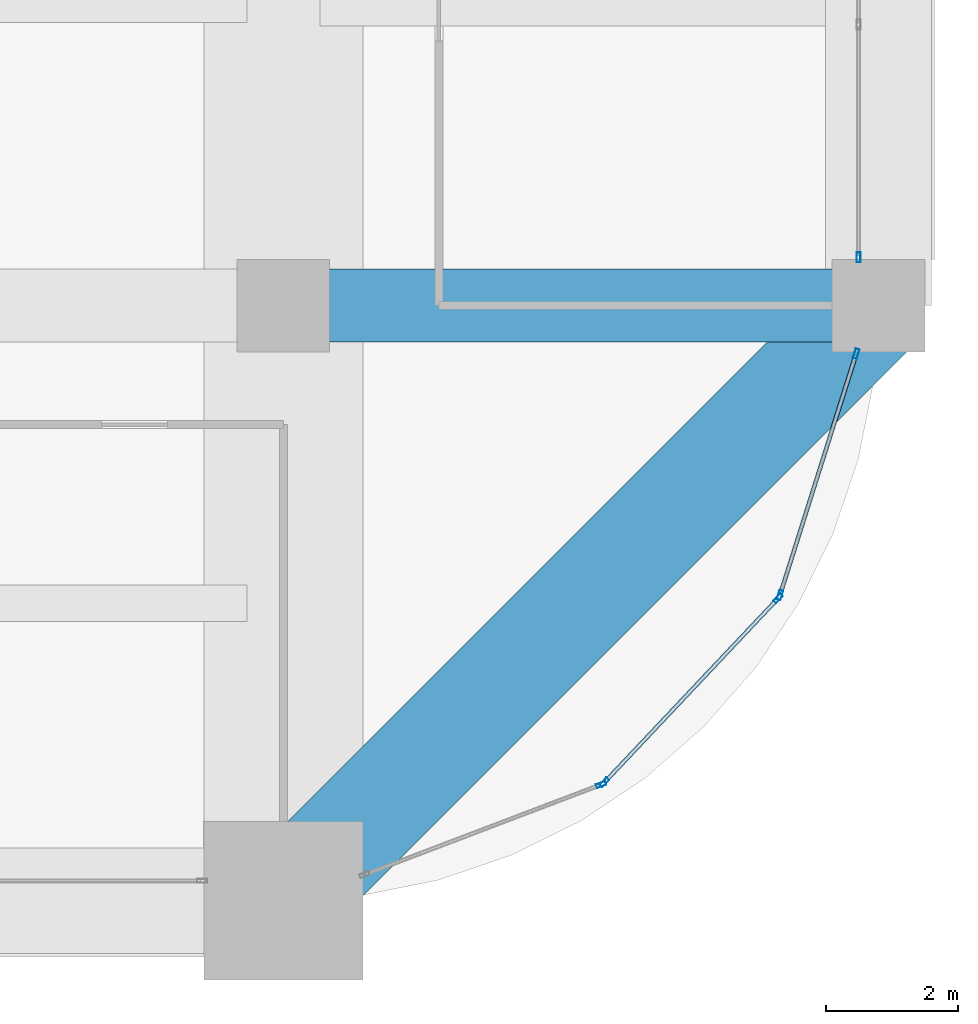
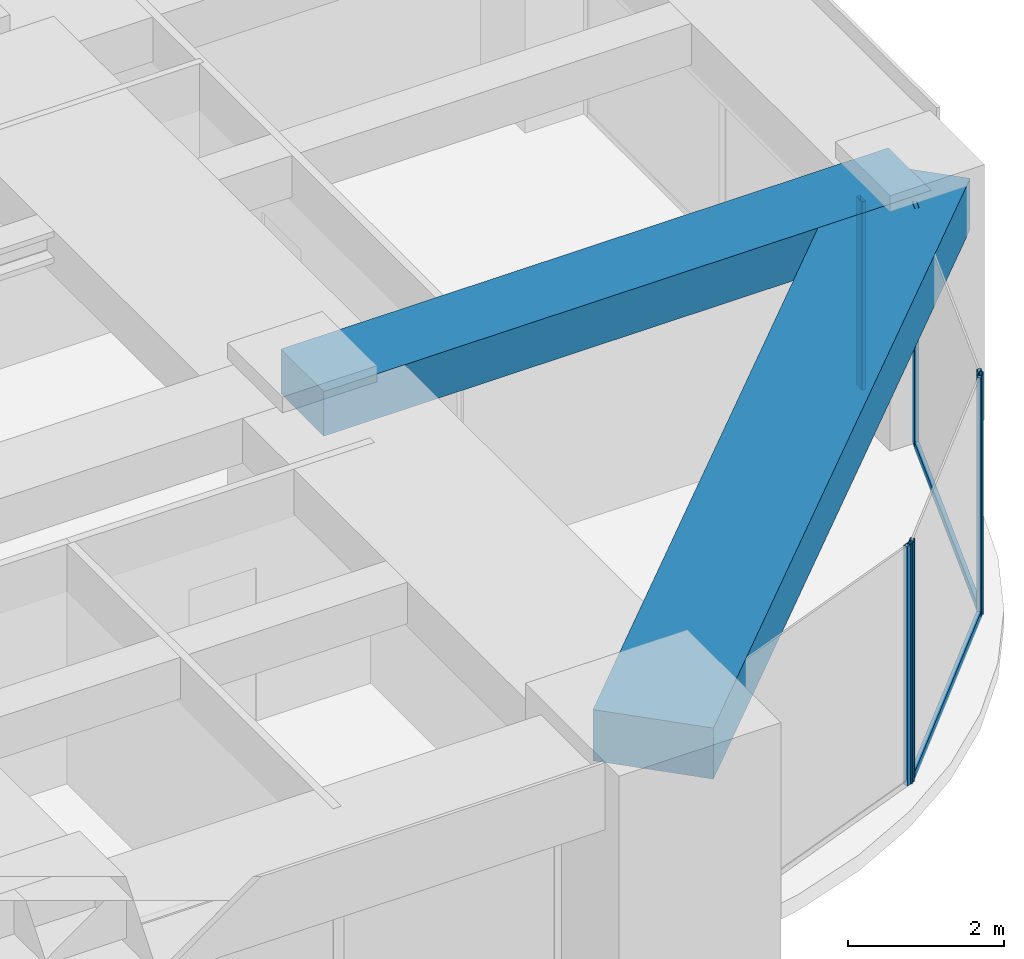
# One storey, part 16 of 35: 8 members, 2 beams, 4 elements without a shape of their own.
"""IFC4 building model written with IfcOpenShell, lengths in metres."""

from ifc_helpers import new_model, si_unit, direction, frame, origin, origin_2d, place, context, subcontext, project, spatial, rectangle, hollow_rectangle, extrude, material, material_profile, profile_set, type_object, element, aggregate, save


model = new_model("IFC4")

# Units and contexts
model_context = context("Model", 3, precision=1e-05, world=origin(), true_north=direction((0.0, 1.0)))
body_context = subcontext(model_context, "Body", "Model", "MODEL_VIEW")
ifc_project = project(units=[si_unit("LENGTHUNIT", "METRE"), si_unit("AREAUNIT", "SQUARE_METRE"), si_unit("VOLUMEUNIT", "CUBIC_METRE"), si_unit("PLANEANGLEUNIT", "RADIAN"), si_unit("MASSUNIT", "GRAM", prefix="KILO")], contexts=[model_context])

# Site, building, storey
site_placement = place(None, origin())
site = spatial("IfcSite", under=ifc_project, at=site_placement, CompositionType="ELEMENT")
building_placement = place(site_placement, origin())
building = spatial("IfcBuilding", under=site, at=building_placement, Name="Zorevar Civic Tower", CompositionType="ELEMENT")
storey_placement = place(building_placement, frame((0.0, 0.0, 222.199951171875)))
storey = spatial("IfcBuildingStorey", under=building, at=storey_placement, Name="L54", CompositionType="ELEMENT", Elevation=222.199951171875)

# Beam
ifc_material_1 = material(Name="Concrete C50/60", Category="concrete")
ifc_material_profile_1 = material_profile(ifc_material_1, rectangle(XDim=1.10009765625, YDim=0.699951171875, at=origin_2d()), Name="RC 1100x700")
ifc_profile_set_1 = profile_set([ifc_material_profile_1], Name="Concrete C50/60")
beam_type_1 = type_object("IfcBeamType", Name="Beam RC 1100x700", PredefinedType="BEAM", material=ifc_profile_set_1)
beam_1_placement = place(storey_placement, frame((45.0, 9.0, 3.400146484375), z_axis=(1.0, 0.0, 0.0), x_axis=(0.0, 1.0, 0.0)))
element("IfcBeam", 1, at=beam_1_placement, inside=storey, type_object=beam_type_1, Name="Girder L55", PredefinedType="BEAM", context=body_context, shape_type="SweptSolid", body=[
    extrude(rectangle(XDim=1.10009765625, YDim=0.699951171875, at=origin_2d()), origin(), (0.0, 0.0, 1.0), 9.0),
])

# Curtain wall, member
ifc_material_2 = material(Name="Dark grey solar-control glass in black aluminium frame", Category="aluminium")
curtain_wall_type = type_object("IfcCurtainWallType", Name="Curtain wall CW4 high zone", PredefinedType="NOTDEFINED", material=ifc_material_2)
curtain_wall_1_placement = place(storey_placement, origin())
curtain_wall_1 = element("IfcCurtainWall", 2, at=curtain_wall_1_placement, inside=storey, type_object=curtain_wall_type, Name="CW4 L54", PredefinedType="NOTDEFINED")
ifc_material_3 = material(Name="Aluminium, black anodised", Category="aluminium")
ifc_material_profile_2 = material_profile(ifc_material_3, hollow_rectangle(XDim=0.06005859375, YDim=0.14990234375, WallThickness=0.00390625, at=origin_2d()), Name="AL 150x60x4")
ifc_profile_set_2 = profile_set([ifc_material_profile_2], Name="Aluminium, black anodised")
member_type_1 = type_object("IfcMemberType", Name="CW4 mullion AL 150x60x4", PredefinedType="MULLION", material=ifc_profile_set_2)
member_1_placement = place(storey_placement, frame((53.699951171875, 9.72998046875, 0.0), z_axis=(0.0, 0.0, 1.0), x_axis=(-1.0, 0.0, 0.0)))
member_1 = element("IfcMember", 3, at=member_1_placement, type_object=member_type_1, Name="CW4 mullion 1", PredefinedType="MULLION", context=body_context, shape_type="SweptSolid", body=[
    extrude(hollow_rectangle(XDim=0.06005859375, YDim=0.14990234375, WallThickness=0.00390625, at=origin_2d()), origin(), (0.0, 0.0, 1.0), 2.949951171875),
])
aggregate(curtain_wall_1, [member_1])

curtain_wall_2_placement = place(storey_placement, origin())
curtain_wall_2 = element("IfcCurtainWall", 4, at=curtain_wall_2_placement, inside=storey, type_object=curtain_wall_type, Name="CW4 L54", PredefinedType="NOTDEFINED")
member_2_placement = place(storey_placement, frame((49.804931640625, 1.75537109375, 0.0), z_axis=(0.0, 0.0, 1.0), x_axis=(-0.355730895803, 0.93458842801, 0.0)))
member_2 = element("IfcMember", 5, at=member_2_placement, type_object=member_type_1, Name="CW4 mullion 2", PredefinedType="MULLION", context=body_context, shape_type="SweptSolid", body=[
    extrude(hollow_rectangle(XDim=0.06005859375, YDim=0.14990234375, WallThickness=0.00390625, at=origin_2d()), origin(), (0.0, 0.0, 1.0), 3.75),
])
aggregate(curtain_wall_2, [member_2])

# Curtain wall, members
curtain_wall_3_placement = place(storey_placement, origin())
curtain_wall_3 = element("IfcCurtainWall", 6, at=curtain_wall_3_placement, inside=storey, type_object=curtain_wall_type, Name="CW4 L54", PredefinedType="NOTDEFINED")
member_3_placement = place(storey_placement, frame((49.853759765625, 1.787841796875, 0.0), z_axis=(0.0, 0.0, 1.0), x_axis=(-0.727245053898, 0.686377907265, 0.0)))
member_3 = element("IfcMember", 7, at=member_3_placement, type_object=member_type_1, Name="CW4 mullion 1", PredefinedType="MULLION", context=body_context, shape_type="SweptSolid", body=[
    extrude(hollow_rectangle(XDim=0.06005859375, YDim=0.14990234375, WallThickness=0.00390625, at=origin_2d()), origin(), (0.0, 0.0, 1.0), 3.75),
])
member_4_placement = place(storey_placement, frame((52.480712890625, 4.5712890625, 0.0), z_axis=(0.0, 0.0, 1.0), x_axis=(-0.727245053898, 0.686377907265, 0.0)))
member_4 = element("IfcMember", 8, at=member_4_placement, type_object=member_type_1, Name="CW4 mullion 2", PredefinedType="MULLION", context=body_context, shape_type="SweptSolid", body=[
    extrude(hollow_rectangle(XDim=0.06005859375, YDim=0.14990234375, WallThickness=0.00390625, at=origin_2d()), origin(), (0.0, 0.0, 1.0), 3.75),
])

curtain_wall_4_placement = place(storey_placement, origin())
curtain_wall_4 = element("IfcCurtainWall", 9, at=curtain_wall_4_placement, inside=storey, type_object=curtain_wall_type, Name="CW4 L54", PredefinedType="NOTDEFINED")
member_5_placement = place(storey_placement, frame((52.51025390625, 4.62158203125, 0.0), z_axis=(0.0, 0.0, 1.0), x_axis=(-0.953589950678, 0.301108296077, 0.0)))
member_5 = element("IfcMember", 10, at=member_5_placement, type_object=member_type_1, Name="CW4 mullion 1", PredefinedType="MULLION", context=body_context, shape_type="SweptSolid", body=[
    extrude(hollow_rectangle(XDim=0.06005859375, YDim=0.14990234375, WallThickness=0.00390625, at=origin_2d()), origin(), (0.0, 0.0, 1.0), 3.75),
])
member_6_placement = place(storey_placement, frame((53.66259765625, 8.271484375, 0.0), z_axis=(0.0, 0.0, 1.0), x_axis=(-0.953589950678, 0.301108296077, 0.0)))
member_6 = element("IfcMember", 11, at=member_6_placement, type_object=member_type_1, Name="CW4 mullion 2", PredefinedType="MULLION", context=body_context, shape_type="SweptSolid", body=[
    extrude(hollow_rectangle(XDim=0.06005859375, YDim=0.14990234375, WallThickness=0.00390625, at=origin_2d()), origin(), (0.0, 0.0, 1.0), 3.75),
])

# Member
ifc_material_4 = material(Name="Aluminium, black anodised", Category="aluminium")
ifc_material_profile_3 = material_profile(ifc_material_4, hollow_rectangle(XDim=0.06005859375, YDim=0.1201171875, WallThickness=0.0029296875, at=origin_2d()), Name="AL 120x60x3")
ifc_profile_set_3 = profile_set([ifc_material_profile_3], Name="Aluminium, black anodised")
member_type_2 = type_object("IfcMemberType", Name="CW4 transom AL 120x60x3", PredefinedType="USERDEFINED", material=ifc_profile_set_3)
member_7_placement = place(storey_placement, frame((49.874267578125, 1.8095703125, 0.030029296875), z_axis=(0.686332338526, 0.727288059227, 0.0), x_axis=(-0.727288059227, 0.686332338526, 0.0)))
member_7 = element("IfcMember", 12, at=member_7_placement, type_object=member_type_2, Name="CW4 sill transom", ObjectType="TRANSOM", PredefinedType="USERDEFINED", context=body_context, shape_type="SweptSolid", body=[
    extrude(hollow_rectangle(XDim=0.06005859375, YDim=0.1201171875, WallThickness=0.0029296875, at=origin_2d()), origin(), (0.0, 0.0, 1.0), 3.767333984375),
])

aggregate(curtain_wall_3, [member_3, member_4, member_7])

member_8_placement = place(storey_placement, frame((52.519287109375, 4.650390625, 0.030029296875), z_axis=(0.301100351109, 0.953592459367, 0.0), x_axis=(-0.953592459367, 0.301100351109, 0.0)))
member_8 = element("IfcMember", 13, at=member_8_placement, type_object=member_type_2, Name="CW4 sill transom", ObjectType="TRANSOM", PredefinedType="USERDEFINED", context=body_context, shape_type="SweptSolid", body=[
    extrude(hollow_rectangle(XDim=0.06005859375, YDim=0.1201171875, WallThickness=0.0029296875, at=origin_2d()), origin(), (0.0, 0.0, 1.0), 3.76708984375),
])

aggregate(curtain_wall_4, [member_5, member_6, member_8])

# Beam
ifc_material_5 = material(Name="Concrete C50/60", Category="concrete")
ifc_material_profile_4 = material_profile(ifc_material_5, rectangle(XDim=1.60009765625, YDim=0.800048828125, at=origin_2d()), Name="RC 1600x800")
ifc_profile_set_4 = profile_set([ifc_material_profile_4], Name="Concrete C50/60")
beam_type_2 = type_object("IfcBeamType", Name="Edge beam RC 1600x800", PredefinedType="SPANDREL", material=ifc_profile_set_4)
beam_2_placement = place(storey_placement, frame((45.0, 0.0, 3.35009765625), z_axis=(0.707106781187, 0.707106781187, 0.0), x_axis=(-0.707106781187, 0.707106781187, 0.0)))
element("IfcBeam", 14, at=beam_2_placement, inside=storey, type_object=beam_type_2, Name="Corner edge beam L55", PredefinedType="SPANDREL", context=body_context, shape_type="SweptSolid", body=[
    extrude(rectangle(XDim=1.60009765625, YDim=0.800048828125, at=origin_2d()), origin(), (0.0, 0.0, 1.0), 12.72802734375),
])

save(model, "model.ifc")
